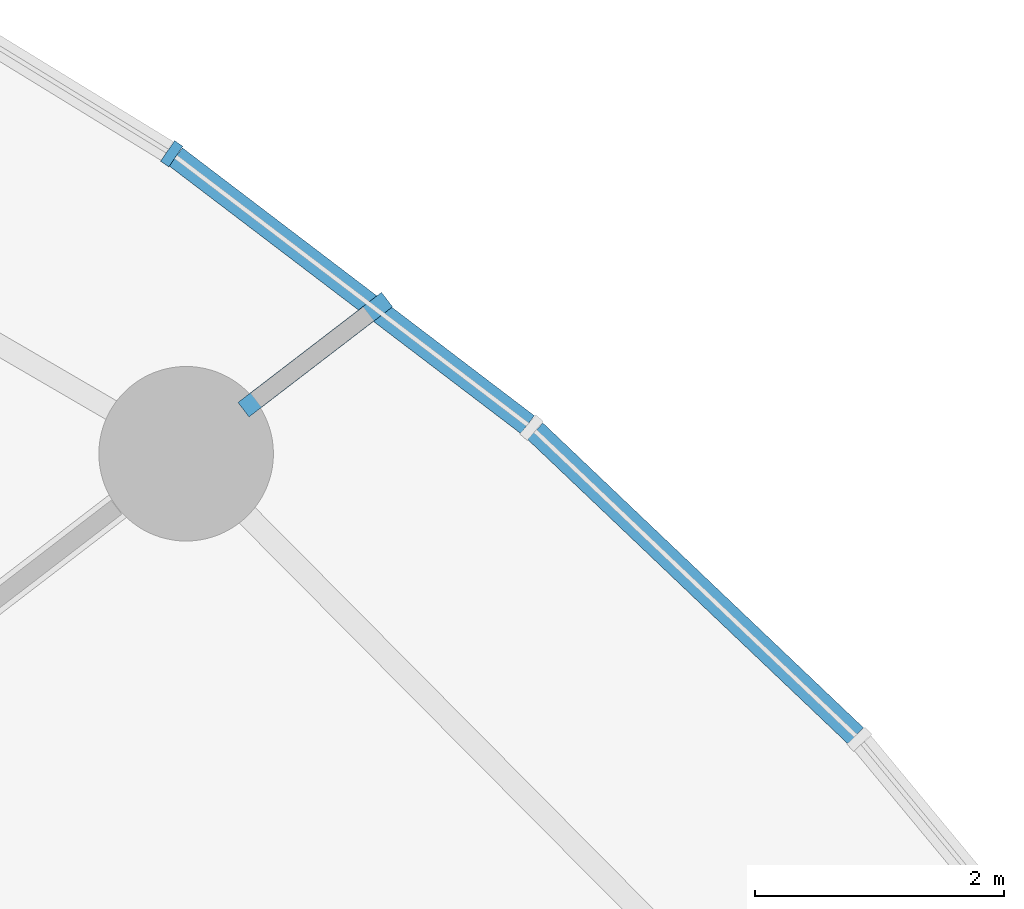
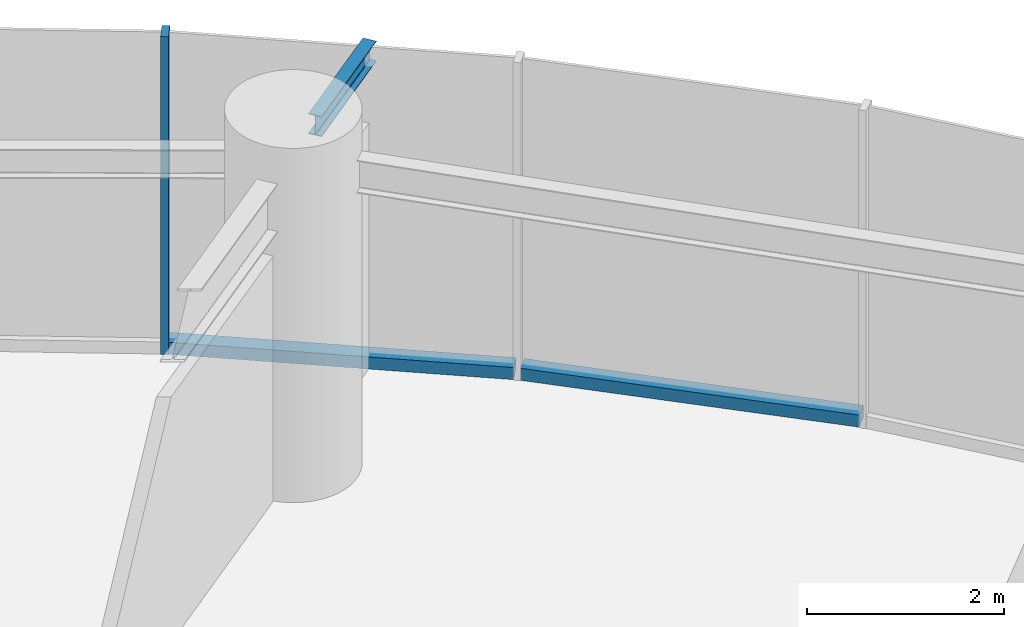
# One storey, part 9 of 19: 3 members, 1 beam, 2 elements without a shape of their own.
"""IFC4 building model written with IfcOpenShell, lengths in metres."""

from ifc_helpers import new_model, si_unit, direction, frame, origin, origin_2d, place, context, subcontext, project, spatial, rectangle, i_section, extrude, source, transform, mapped, material, layer, layer_set, material_profile, profile_set, type_object, element, aggregate, save


model = new_model("IFC4")

# Units and contexts
model_context = context("Model", 3, precision=1e-05, world=origin(), true_north=direction((0.0, 1.0)))
body_context = subcontext(model_context, "Body", "Model", "MODEL_VIEW")
ifc_project = project(units=[si_unit("LENGTHUNIT", "METRE"), si_unit("AREAUNIT", "SQUARE_METRE"), si_unit("VOLUMEUNIT", "CUBIC_METRE"), si_unit("PLANEANGLEUNIT", "RADIAN"), si_unit("MASSUNIT", "GRAM", prefix="KILO")], contexts=[model_context])

# Site, building, storey
site_placement = place(None, origin())
site = spatial("IfcSite", under=ifc_project, at=site_placement, CompositionType="ELEMENT")
building_placement = place(site_placement, origin())
building = spatial("IfcBuilding", under=site, at=building_placement, Name="Spindrift Exchange Tower", CompositionType="ELEMENT")
storey_placement = place(building_placement, frame((0.0, 0.0, 27.0)))
storey = spatial("IfcBuildingStorey", under=building, at=storey_placement, Name="L06", CompositionType="ELEMENT", Elevation=27.0)

# Beam
ifc_material_1 = material(Name="Steel Grade 300", Category="steel")
ifc_material_profile_1 = material_profile(ifc_material_1, i_section(OverallWidth=0.14599609375, OverallDepth=0.251953125, WebThickness=0.006103515625, FlangeThickness=0.008544921875, FilletRadius=0.011962890625, at=origin_2d()), Name="250UB31.4")
ifc_profile_set_1 = profile_set([ifc_material_profile_1], Name="Steel Grade 300")
beam_type = type_object("IfcBeamType", Name="Cantilever Beam 250UB31.4 Steel Grade 300", PredefinedType="BEAM", material=ifc_profile_set_1)
shared_shape_1 = source(origin(), body_context, "Body", "SweptSolid", [
    extrude(i_section(OverallWidth=0.14599609375, OverallDepth=0.251953125, WebThickness=0.006103515625, FlangeThickness=0.008544921875, FilletRadius=0.011962890625, at=origin_2d()), origin(), (0.0, 0.0, 1.0), 1.450927734375),
])
beam_placement = place(storey_placement, frame((78.295654296875, 68.177490234375, 3.823974609375), z_axis=(0.793349012845, 0.608767068605, 0.0), x_axis=(-0.608767068605, 0.793349012845, 0.0)))
element("IfcBeam", 1, at=beam_placement, inside=storey, type_object=beam_type, Name="L06 cantilever beam R03T", PredefinedType="BEAM", context=body_context, shape_type="MappedRepresentation", body=[
    mapped(shared_shape_1, transform((0.0, 0.0, 0.0), scale=1.0)),
])

# Curtain wall, member
ifc_material_2 = material(Name="Fritted laminated glass with bronze frame", Category="glass")
ifc_layer = layer(ifc_material_2, 0.199951171875)
ifc_layer_set = layer_set([ifc_layer], Name="ZONE 1 BRONZE FRITTED WALL")
curtain_wall_type = type_object("IfcCurtainWallType", Name="ZONE 1 BRONZE FRITTED WALL", PredefinedType="NOTDEFINED", material=ifc_layer_set)
curtain_wall_1_placement = place(storey_placement, origin())
curtain_wall_1 = element("IfcCurtainWall", 2, at=curtain_wall_1_placement, inside=storey, type_object=curtain_wall_type, Name="L06 Zone 1 Bronze Fritted Wall run 2", PredefinedType="NOTDEFINED")
ifc_material_3 = material(Name="Bronze anodised aluminium", Category="aluminium")
ifc_material_profile_2 = material_profile(ifc_material_3, rectangle(XDim=0.080078125, YDim=0.199951171875, at=origin_2d()), Name="ZONE 1 BRONZE FRITTED WALL MULLION 80X200")
ifc_profile_set_2 = profile_set([ifc_material_profile_2], Name="Bronze anodised aluminium")
member_type_1 = type_object("IfcMemberType", Name="ZONE 1 BRONZE FRITTED WALL MULLION 80X200", PredefinedType="MULLION", material=ifc_profile_set_2)
shared_shape_2 = source(origin(), body_context, "Body", "SweptSolid", [
    extrude(rectangle(XDim=0.080078125, YDim=0.199951171875, at=origin_2d()), origin(), (0.0, 0.0, 1.0), 3.949951171875),
])
member_1_placement = place(storey_placement, frame((77.72021484375, 70.22998046875, 0.0), z_axis=(0.0, 0.0, 1.0), x_axis=(-0.825167182589, 0.564888591475, 0.0)))
member_1 = element("IfcMember", 3, at=member_1_placement, type_object=member_type_1, Name="L06 mullion CW-1.8", PredefinedType="MULLION", context=body_context, shape_type="MappedRepresentation", body=[
    mapped(shared_shape_2, transform((0.0, 0.0, 0.0), scale=1.0)),
])

curtain_wall_2_placement = place(storey_placement, origin())
curtain_wall_2 = element("IfcCurtainWall", 4, at=curtain_wall_2_placement, inside=storey, type_object=curtain_wall_type, Name="L06 Zone 1 Bronze Fritted Wall run 1", PredefinedType="NOTDEFINED")
ifc_material_profile_3 = material_profile(ifc_material_3, rectangle(XDim=0.179931640625, YDim=0.14990234375, at=origin_2d()), Name="ZONE 1 BRONZE FRITTED WALL TRANSOM 180X150")
ifc_profile_set_3 = profile_set([ifc_material_profile_3], Name="Bronze anodised aluminium")
member_type_2 = type_object("IfcMemberType", Name="ZONE 1 BRONZE FRITTED WALL TRANSOM 180X150", PredefinedType="USERDEFINED", material=ifc_profile_set_3)
shared_shape_3 = source(origin(), body_context, "Body", "SweptSolid", [
    extrude(rectangle(XDim=0.179931640625, YDim=0.14990234375, at=origin_2d()), origin(), (0.0, 0.0, 1.0), 3.54638671875),
])
member_2_placement = place(storey_placement, frame((83.205078125, 65.5625, 0.074951171875), z_axis=(-0.724779388404, 0.688981014357, 0.0), x_axis=(-0.688981014357, -0.724779388404, 0.0)))
member_2 = element("IfcMember", 5, at=member_2_placement, type_object=member_type_2, Name="L06 transom CW-1.6", ObjectType="TRANSOM", PredefinedType="USERDEFINED", context=body_context, shape_type="MappedRepresentation", body=[
    mapped(shared_shape_3, transform((0.0, 0.0, 0.0), scale=1.0)),
])
aggregate(curtain_wall_2, [member_2])

# Member
member_3_placement = place(storey_placement, frame((80.573974609375, 68.0576171875, 0.074951171875), z_axis=(-0.795725555991, 0.605657361503, 0.0), x_axis=(-0.605657361503, -0.795725555991, 0.0)))
member_3 = element("IfcMember", 6, at=member_3_placement, type_object=member_type_2, Name="L06 transom CW-1.7", ObjectType="TRANSOM", PredefinedType="USERDEFINED", context=body_context, shape_type="MappedRepresentation", body=[
    mapped(shared_shape_3, transform((0.0, 0.0, 0.0), scale=1.0)),
])

aggregate(curtain_wall_1, [member_3, member_1])

save(model, "model.ifc")
